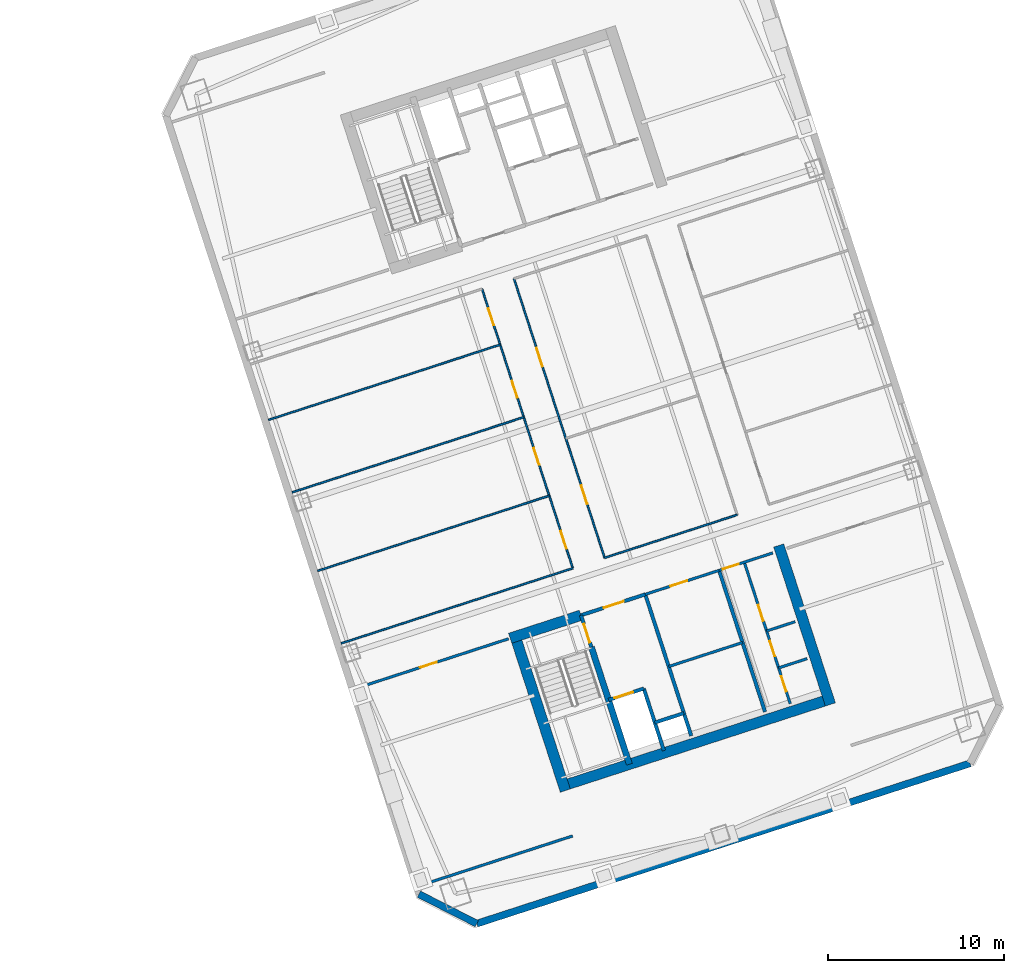
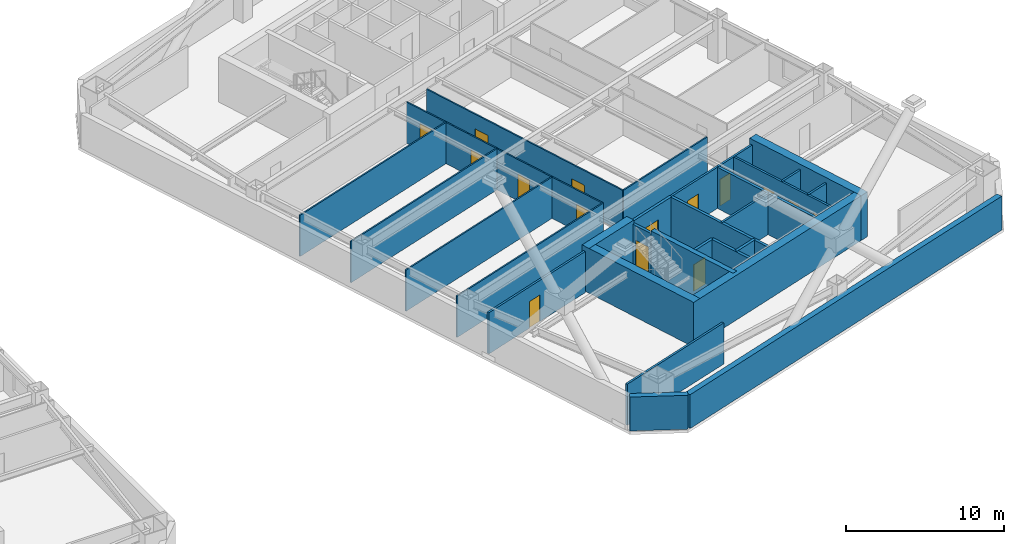
# One storey, part 7 of 12: 29 walls, 15 doors, 15 openings.
"""IFC4 building model written with IfcOpenShell, lengths in metres."""

from ifc_helpers import new_model, si_unit, direction, frame, frame_2d, origin, place, context, subcontext, project, spatial, rectangle, extrude, material, layer, layer_set, type_object, element, fill, save


model = new_model("IFC4")

# Units and contexts
model_context = context("Model", 3, precision=1e-05, world=origin(), true_north=direction((0.0, 1.0)))
body_context = subcontext(model_context, "Body", "Model", "MODEL_VIEW")
ifc_project = project(units=[si_unit("LENGTHUNIT", "METRE"), si_unit("AREAUNIT", "SQUARE_METRE"), si_unit("VOLUMEUNIT", "CUBIC_METRE"), si_unit("PLANEANGLEUNIT", "RADIAN"), si_unit("MASSUNIT", "GRAM", prefix="KILO")], contexts=[model_context])

# Site, building, storey
site_placement = place(None, origin())
site = spatial("IfcSite", under=ifc_project, at=site_placement, CompositionType="ELEMENT")
building_placement = place(site_placement, origin())
building = spatial("IfcBuilding", under=site, at=building_placement, Name="Qiaolan Cultural Towers", CompositionType="ELEMENT")
storey_placement = place(building_placement, frame((0.0, 0.0, 106.949951171875)))
storey = spatial("IfcBuildingStorey", under=building, at=storey_placement, Name="L27", CompositionType="ELEMENT", Elevation=106.949951171875)

# Walls
ifc_material_1 = material(Name="Concrete C50", Category="concrete")
ifc_layer_1 = layer(ifc_material_1, 0.35009765625)
ifc_layer_set_1 = layer_set([ifc_layer_1], Name="Concrete C50")
wall_type_1 = type_object("IfcWallType", Name="WL-CORE-350", PredefinedType="SHEAR", material=ifc_layer_set_1)
wall_1_placement = place(storey_placement, frame((90.486328125, 20.59423828125, 0.0), z_axis=(0.0, 0.0, 1.0), x_axis=(0.309020428229, -0.951055400562, 0.0)))
element("IfcWall", 1, at=wall_1_placement, inside=storey, type_object=wall_type_1, Name="L27 T2-CS Stair Core Dividing Web", PredefinedType="SHEAR", context=body_context, shape_type="SweptSolid", body=[
    extrude(rectangle(XDim=6.97998046875, YDim=0.35009765625, at=frame_2d((3.489990234375, 0.0))), origin(), (0.0, 0.0, 1.0), 3.449951171875),
])
ifc_material_2 = material(Name="Concrete C55", Category="concrete")
ifc_layer_2 = layer(ifc_material_2, 0.60009765625)
ifc_layer_set_2 = layer_set([ifc_layer_2], Name="Concrete C55")
wall_type_2 = type_object("IfcWallType", Name="WL-CORE-600", PredefinedType="SHEAR", material=ifc_layer_set_2)
wall_2_placement = place(storey_placement, frame((88.6298828125, 12.65185546875, 0.0), z_axis=(0.0, 0.0, 1.0), x_axis=(0.95105714907, 0.309015046886, 0.0)))
element("IfcWall", 2, at=wall_2_placement, inside=storey, type_object=wall_type_2, Name="L27 T2-CS Outer Core Shear Wall", PredefinedType="SHEAR", context=body_context, shape_type="SweptSolid", body=[
    extrude(rectangle(XDim=16.400146484375, YDim=0.60009765625, at=frame_2d((8.2001953125, 0.0))), origin(), (0.0, 0.0, 1.0), 3.449951171875),
])
wall_3_placement = place(storey_placement, frame((86.078369140625, 21.47509765625, 0.0), z_axis=(0.0, 0.0, 1.0), x_axis=(0.309017938678, -0.951056209472, 0.0)))
element("IfcWall", 3, at=wall_3_placement, inside=storey, type_object=wall_type_2, Name="L27 T2-CS West Core Shear Wall", PredefinedType="SHEAR", context=body_context, shape_type="SweptSolid", body=[
    extrude(rectangle(XDim=9.479736328125, YDim=0.60009765625, at=frame_2d((4.73974609375, 0.0))), origin(), (0.0, 0.0, 1.0), 3.449951171875),
])
wall_4_placement = place(storey_placement, frame((101.105224609375, 26.357666015625, 0.0), z_axis=(0.0, 0.0, 1.0), x_axis=(0.309010370028, -0.95105866865, 0.0)))
element("IfcWall", 4, at=wall_4_placement, inside=storey, type_object=wall_type_2, Name="L27 T2-CS East Core Shear Wall", PredefinedType="SHEAR", context=body_context, shape_type="SweptSolid", body=[
    extrude(rectangle(XDim=9.47998046875, YDim=0.60009765625, at=frame_2d((4.739990234375, 0.0))), origin(), (0.0, 0.0, 1.0), 3.449951171875),
])
wall_5_placement = place(storey_placement, frame((85.8857421875, 21.09716796875, 0.0), z_axis=(0.0, 0.0, 1.0), x_axis=(0.951068073652, 0.308981422225, 0.0)))
element("IfcWall", 5, at=wall_5_placement, inside=storey, type_object=wall_type_2, Name="L27 T2-CS Stair Front Shear Wall", PredefinedType="SHEAR", context=body_context, shape_type="SweptSolid", body=[
    extrude(rectangle(XDim=4.22021484375, YDim=0.60009765625, at=frame_2d((2.110107421875, 0.0))), origin(), (0.0, 0.0, 1.0), 3.449951171875),
])
ifc_material_3 = material(Name="Precast Concrete C50 Honed Stone Pier", Category="masonry")
ifc_layer_3 = layer(ifc_material_3, 0.39990234375)
ifc_layer_set_3 = layer_set([ifc_layer_3], Name="Precast Concrete C50 Honed Stone Pier")
wall_type_3 = type_object("IfcWallType", Name="WL-EXT-PIER-400", PredefinedType="SOLIDWALL", material=ifc_layer_set_3)
wall_6_placement = place(storey_placement, frame((111.953125, 14.00537109375, 0.0), z_axis=(0.0, 0.0, 1.0), x_axis=(-0.95105505922, -0.309021478754, 0.0)))
element("IfcWall", 6, at=wall_6_placement, inside=storey, type_object=wall_type_3, Name="L27 East Tower Precast Pier Facade Wall F7", PredefinedType="SOLIDWALL", context=body_context, shape_type="SweptSolid", body=[
    extrude(rectangle(XDim=29.39990234375, YDim=0.39990234375, at=frame_2d((14.699951171875, 0.0))), origin(), (0.0, 0.0, 1.0), 2.610107421875),
])
wall_7_placement = place(storey_placement, frame((83.9921875, 4.920166015625, 0.0), z_axis=(0.0, 0.0, 1.0), x_axis=(-0.891001999643, 0.45399937955, 0.0)))
element("IfcWall", 7, at=wall_7_placement, inside=storey, type_object=wall_type_3, Name="L27 East Tower Precast Pier Facade Wall F8", PredefinedType="SOLIDWALL", context=body_context, shape_type="SweptSolid", body=[
    extrude(rectangle(XDim=3.67724609375, YDim=0.39990234375, at=frame_2d((1.838623046875, 0.0))), origin(), (0.0, 0.0, 1.0), 2.610107421875),
])

# Wall, opening, door
ifc_material_4 = material(Name="Concrete C35 Fire Wall", Category="concrete")
ifc_layer_4 = layer(ifc_material_4, 0.199951171875)
ifc_layer_set_4 = layer_set([ifc_layer_4], Name="Concrete C35 Fire Wall")
wall_type_4 = type_object("IfcWallType", Name="WL-FIRE-200", PredefinedType="PARTITIONING", material=ifc_layer_set_4)
wall_8_placement = place(storey_placement, frame((89.8994140625, 22.401123046875, 0.0), z_axis=(0.0, 0.0, 1.0), x_axis=(0.308932062672, -0.951084108086, 0.0)))
wall_8 = element("IfcWall", 8, at=wall_8_placement, inside=storey, type_object=wall_type_4, Name="L27 T2-CS Smokeproof Stair Entry Wall", PredefinedType="PARTITIONING", context=body_context, shape_type="SweptSolid", body=[
    extrude(rectangle(XDim=1.89990234375, YDim=0.199951171875, at=frame_2d((0.949951171875, 0.0))), origin(), (0.0, 0.0, 1.0), 3.175048828125),
])
opening_1_placement = place(wall_8_placement, frame((0.52001953125, 0.0, 0.0)))
opening_1 = element("IfcOpeningElement", 9, at=opening_1_placement, cuts=wall_8, Name="Opening FD-04", PredefinedType="OPENING", context=body_context, shape_type="SweptSolid", body=[
    extrude(rectangle(XDim=1.10009765625, YDim=2.050048828125, at=frame_2d((0.550048828125, 1.02490234375))), frame((0.0, 0.10986328125, 0.0), z_axis=(0.0, -1.0, 0.0), x_axis=(1.0, 0.0, 0.0)), (0.0, 0.0, 1.0), 0.219970703125),
])
ifc_material_5 = material(Name="Galvanized Steel Command Fire Door", Category="steel")
door_type_1 = type_object("IfcDoorType", Name="DR-FD90-1100", OperationType="NOTDEFINED", PredefinedType="DOOR", material=ifc_material_5)
door_1_placement = place(opening_1_placement, origin())
door_1 = element("IfcDoor", 10, at=door_1_placement, inside=storey, type_object=door_type_1, Name="L27 ST-E1 Smokeproof Stair Fire Door", OperationType="SINGLE_SWING_LEFT", OverallHeight=2.050048828125, OverallWidth=1.10009765625, PredefinedType="DOOR", context=body_context, shape_type="SweptSolid", body=[
    extrude(rectangle(XDim=1.10009765625, YDim=2.050048828125, at=frame_2d((0.550048828125, 1.02490234375))), frame((0.0, 0.02490234375, 0.0), z_axis=(0.0, -1.0, 0.0), x_axis=(1.0, 0.0, 0.0)), (0.0, 0.0, 1.0), 0.050048828125),
])
fill(opening_1, door_1)

# Wall
wall_9_placement = place(storey_placement, frame((93.541748046875, 23.584716796875, 0.0), z_axis=(0.0, 0.0, 1.0), x_axis=(0.309042196757, -0.951048327176, 0.0)))
element("IfcWall", 11, at=wall_9_placement, inside=storey, type_object=wall_type_4, Name="L27 T2-CS Firefighting Zone Wall", PredefinedType="PARTITIONING", context=body_context, shape_type="SweptSolid", body=[
    extrude(rectangle(XDim=8.429931640625, YDim=0.199951171875, at=frame_2d((4.21484375, 0.0))), origin(), (0.0, 0.0, 1.0), 3.175048828125),
])

# Wall, opening, door
wall_10_placement = place(storey_placement, frame((89.8994140625, 22.401123046875, 0.0), z_axis=(0.0, 0.0, 1.0), x_axis=(0.951046716504, 0.309047153403, 0.0)))
wall_10 = element("IfcWall", 12, at=wall_10_placement, inside=storey, type_object=wall_type_4, Name="L27 T2-CS Firefighting Lobby Front Wall", PredefinedType="PARTITIONING", context=body_context, shape_type="SweptSolid", body=[
    extrude(rectangle(XDim=3.829833984375, YDim=0.199951171875, at=frame_2d((1.9150390625, 0.0))), origin(), (0.0, 0.0, 1.0), 3.175048828125),
])
opening_2_placement = place(wall_10_placement, frame((1.35009765625, 0.0, 0.0)))
opening_2 = element("IfcOpeningElement", 13, at=opening_2_placement, cuts=wall_10, Name="Opening FD-03", PredefinedType="OPENING", context=body_context, shape_type="SweptSolid", body=[
    extrude(rectangle(XDim=1.199951171875, YDim=2.050048828125, at=frame_2d((0.60009765625, 1.02490234375))), frame((0.0, 0.10986328125, 0.0), z_axis=(0.0, -1.0, 0.0), x_axis=(1.0, 0.0, 0.0)), (0.0, 0.0, 1.0), 0.219970703125),
])
ifc_material_6 = material(Name="Galvanized Steel Smokeproof Lobby Fire Door", Category="steel")
door_type_2 = type_object("IfcDoorType", Name="DR-FD90-1200", OperationType="NOTDEFINED", PredefinedType="DOOR", material=ifc_material_6)
door_2_placement = place(opening_2_placement, origin())
door_2 = element("IfcDoor", 14, at=door_2_placement, inside=storey, type_object=door_type_2, Name="L27 FFL-E1 Firefighting Lobby Fire Door", OperationType="SINGLE_SWING_LEFT", OverallHeight=2.050048828125, OverallWidth=1.199951171875, PredefinedType="DOOR", context=body_context, shape_type="SweptSolid", body=[
    extrude(rectangle(XDim=1.199951171875, YDim=2.050048828125, at=frame_2d((0.60009765625, 1.02490234375))), frame((0.0, 0.02490234375, 0.0), z_axis=(0.0, -1.0, 0.0), x_axis=(1.0, 0.0, 0.0)), (0.0, 0.0, 1.0), 0.050048828125),
])
fill(opening_2, door_2)

wall_11_placement = place(storey_placement, frame((91.459716796875, 17.598388671875, 0.0), z_axis=(0.0, 0.0, 1.0), x_axis=(0.951062257173, 0.308999325213, 0.0)))
wall_11 = element("IfcWall", 15, at=wall_11_placement, inside=storey, type_object=wall_type_4, Name="L27 T2-CS Firefighting Shaft Front Wall", PredefinedType="PARTITIONING", context=body_context, shape_type="SweptSolid", body=[
    extrude(rectangle(XDim=2.10009765625, YDim=0.199951171875, at=frame_2d((1.050048828125, 0.0))), origin(), (0.0, 0.0, 1.0), 3.175048828125),
])
opening_3_placement = place(wall_11_placement, frame((0.35009765625, 0.0, 0.0)))
opening_3 = element("IfcOpeningElement", 16, at=opening_3_placement, cuts=wall_11, Name="Opening LD-01", PredefinedType="OPENING", context=body_context, shape_type="SweptSolid", body=[
    extrude(rectangle(XDim=1.10009765625, YDim=2.050048828125, at=frame_2d((0.550048828125, 1.02490234375))), frame((0.0, 0.10986328125, 0.0), z_axis=(0.0, -1.0, 0.0), x_axis=(1.0, 0.0, 0.0)), (0.0, 0.0, 1.0), 0.219970703125),
])
ifc_material_7 = material(Name="Brushed Stainless Steel S30408 Centre-Parting Lift Landing Door", Category="steel")
door_type_3 = type_object("IfcDoorType", Name="DR-LIFT-1100", OperationType="NOTDEFINED", PredefinedType="DOOR", material=ifc_material_7)
door_3_placement = place(opening_3_placement, origin())
door_3 = element("IfcDoor", 17, at=door_3_placement, inside=storey, type_object=door_type_3, Name="L27 FFL-E1 Firefighting Lift Landing Door", OperationType="DOUBLE_DOOR_SLIDING", OverallHeight=2.050048828125, OverallWidth=1.10009765625, PredefinedType="DOOR", context=body_context, shape_type="SweptSolid", body=[
    extrude(rectangle(XDim=1.10009765625, YDim=2.050048828125, at=frame_2d((0.550048828125, 1.02490234375))), frame((0.0, 0.02490234375, 0.0), z_axis=(0.0, -1.0, 0.0), x_axis=(1.0, 0.0, 0.0)), (0.0, 0.0, 1.0), 0.050048828125),
])
fill(opening_3, door_3)

# Walls
wall_12_placement = place(storey_placement, frame((93.45703125, 18.247314453125, 0.0), z_axis=(0.0, 0.0, 1.0), x_axis=(0.3089935693, -0.951064127245, 0.0)))
element("IfcWall", 18, at=wall_12_placement, inside=storey, type_object=wall_type_4, Name="L27 T2-CS Firefighting Hoistway East Wall", PredefinedType="PARTITIONING", context=body_context, shape_type="SweptSolid", body=[
    extrude(rectangle(XDim=3.7001953125, YDim=0.199951171875, at=frame_2d((1.85009765625, 0.0))), origin(), (0.0, 0.0, 1.0), 3.175048828125),
])
wall_13_placement = place(storey_placement, frame((94.08447265625, 16.316650390625, 0.0), z_axis=(0.0, 0.0, 1.0), x_axis=(0.951041328149, 0.309063734775, 0.0)))
element("IfcWall", 19, at=wall_13_placement, inside=storey, type_object=wall_type_4, Name="L27 T2-CS Pressurization Shaft Front Wall", PredefinedType="PARTITIONING", context=body_context, shape_type="SweptSolid", body=[
    extrude(rectangle(XDim=1.72998046875, YDim=0.199951171875, at=frame_2d((0.864990234375, 0.0))), origin(), (0.0, 0.0, 1.0), 3.175048828125),
])
wall_14_placement = place(storey_placement, frame((97.7265625, 24.9443359375, 0.0), z_axis=(0.0, 0.0, 1.0), x_axis=(0.309016001439, -0.951056838919, 0.0)))
element("IfcWall", 20, at=wall_14_placement, inside=storey, type_object=wall_type_4, Name="L27 T2-CS Lift Core East Wall", PredefinedType="PARTITIONING", context=body_context, shape_type="SweptSolid", body=[
    extrude(rectangle(XDim=8.429931640625, YDim=0.199951171875, at=frame_2d((4.21484375, 0.0))), origin(), (0.0, 0.0, 1.0), 3.175048828125),
])
ifc_material_8 = material(Name="Acoustic Double-Glazed Partition Frame", Category="glass")
ifc_layer_5 = layer(ifc_material_8, 0.10009765625)
ifc_layer_set_5 = layer_set([ifc_layer_5], Name="Acoustic Double-Glazed Partition Frame")
wall_type_5 = type_object("IfcWallType", Name="WL-GLAZED-100", PredefinedType="MOVABLE", material=ifc_layer_set_5)
wall_15_placement = place(storey_placement, frame((76.307861328125, 20.802978515625, 0.0), z_axis=(0.0, 0.0, 1.0), x_axis=(0.951058377365, 0.309011266531, 0.0)))
element("IfcWall", 21, at=wall_15_placement, inside=storey, type_object=wall_type_5, Name="L27 T2 Interior Wall", PredefinedType="MOVABLE", context=body_context, shape_type="SweptSolid", body=[
    extrude(rectangle(XDim=13.800048828125, YDim=0.10009765625, at=frame_2d((6.89990234375, 0.0))), origin(), (0.0, 0.0, 1.0), 3.175048828125),
])
wall_16_placement = place(storey_placement, frame((91.239501953125, 25.654541015625, 0.0), z_axis=(0.0, 0.0, 1.0), x_axis=(0.951060182336, 0.309005711233, 0.0)))
element("IfcWall", 22, at=wall_16_placement, inside=storey, type_object=wall_type_5, Name="L27 T2 Interior Wall", PredefinedType="MOVABLE", context=body_context, shape_type="SweptSolid", body=[
    extrude(rectangle(XDim=7.900146484375, YDim=0.10009765625, at=frame_2d((3.9501953125, 0.0))), origin(), (0.0, 0.0, 1.0), 3.175048828125),
])

# Wall, openings, doors
wall_17_placement = place(storey_placement, frame((89.4326171875, 25.0673828125, 0.0), z_axis=(0.0, 0.0, 1.0), x_axis=(-0.30901773025, 0.951056277195, 0.0)))
wall_17 = element("IfcWall", 23, at=wall_17_placement, inside=storey, type_object=wall_type_5, Name="L27 T2 Interior Wall", PredefinedType="MOVABLE", context=body_context, shape_type="SweptSolid", body=[
    extrude(rectangle(XDim=16.64013671875, YDim=0.10009765625, at=frame_2d((8.320068359375, 0.0))), origin(), (0.0, 0.0, 1.0), 3.175048828125),
])
opening_4_placement = place(wall_17_placement, frame((1.159912109375, 0.0, 0.0)))
opening_4 = element("IfcOpeningElement", 24, at=opening_4_placement, cuts=wall_17, Name="Opening ID-07", PredefinedType="OPENING", context=body_context, shape_type="SweptSolid", body=[
    extrude(rectangle(XDim=1.050048828125, YDim=2.050048828125, at=frame_2d((0.52490234375, 1.02490234375))), frame((0.0, 0.06005859375, 0.0), z_axis=(0.0, -1.0, 0.0), x_axis=(1.0, 0.0, 0.0)), (0.0, 0.0, 1.0), 0.1201171875),
])
opening_5_placement = place(wall_17_placement, frame((6.159912109375, 0.0, 0.0)))
opening_5 = element("IfcOpeningElement", 25, at=opening_5_placement, cuts=wall_17, Name="Opening ID-04", PredefinedType="OPENING", context=body_context, shape_type="SweptSolid", body=[
    extrude(rectangle(XDim=1.0, YDim=2.050048828125, at=frame_2d((0.5, 1.02490234375))), frame((0.0, 0.06005859375, 0.0), z_axis=(0.0, -1.0, 0.0), x_axis=(1.0, 0.0, 0.0)), (0.0, 0.0, 1.0), 0.1201171875),
])
opening_6_placement = place(wall_17_placement, frame((10.159912109375, 0.0, 0.0)))
opening_6 = element("IfcOpeningElement", 26, at=opening_6_placement, cuts=wall_17, Name="Opening ID-04", PredefinedType="OPENING", context=body_context, shape_type="SweptSolid", body=[
    extrude(rectangle(XDim=1.0, YDim=2.050048828125, at=frame_2d((0.5, 1.02490234375))), frame((0.0, 0.06005859375, 0.0), z_axis=(0.0, -1.0, 0.0), x_axis=(1.0, 0.0, 0.0)), (0.0, 0.0, 1.0), 0.1201171875),
])
opening_7_placement = place(wall_17_placement, frame((14.47998046875, 0.0, 0.0)))
opening_7 = element("IfcOpeningElement", 27, at=opening_7_placement, cuts=wall_17, Name="Opening ID-04", PredefinedType="OPENING", context=body_context, shape_type="SweptSolid", body=[
    extrude(rectangle(XDim=1.0, YDim=2.050048828125, at=frame_2d((0.5, 1.02490234375))), frame((0.0, 0.06005859375, 0.0), z_axis=(0.0, -1.0, 0.0), x_axis=(1.0, 0.0, 0.0)), (0.0, 0.0, 1.0), 0.1201171875),
])
ifc_material_9 = material(Name="Oak Veneer Acoustic Office Door", Category="timber")
door_type_4 = type_object("IfcDoorType", Name="DR-INT-1000", OperationType="NOTDEFINED", PredefinedType="DOOR", material=ifc_material_9)
door_4_placement = place(opening_5_placement, origin())
door_4 = element("IfcDoor", 28, at=door_4_placement, inside=storey, type_object=door_type_4, Name="L27 T2 Advisory Office Door", OperationType="SINGLE_SWING_LEFT", OverallHeight=2.050048828125, OverallWidth=1.0, PredefinedType="DOOR", context=body_context, shape_type="SweptSolid", body=[
    extrude(rectangle(XDim=1.0, YDim=2.050048828125, at=frame_2d((0.5, 1.02490234375))), frame((0.0, 0.02490234375, 0.0), z_axis=(0.0, -1.0, 0.0), x_axis=(1.0, 0.0, 0.0)), (0.0, 0.0, 1.0), 0.050048828125),
])
fill(opening_5, door_4)
door_5_placement = place(opening_6_placement, origin())
door_5 = element("IfcDoor", 29, at=door_5_placement, inside=storey, type_object=door_type_4, Name="L27 T2 Advisory Office Door", OperationType="SINGLE_SWING_RIGHT", OverallHeight=2.050048828125, OverallWidth=1.0, PredefinedType="DOOR", context=body_context, shape_type="SweptSolid", body=[
    extrude(rectangle(XDim=1.0, YDim=2.050048828125, at=frame_2d((0.5, 1.02490234375))), frame((0.0, 0.02490234375, 0.0), z_axis=(0.0, -1.0, 0.0), x_axis=(1.0, 0.0, 0.0)), (0.0, 0.0, 1.0), 0.050048828125),
])
fill(opening_6, door_5)
door_6_placement = place(opening_7_placement, origin())
door_6 = element("IfcDoor", 30, at=door_6_placement, inside=storey, type_object=door_type_4, Name="L27 T2 Advisory Office Door", OperationType="SINGLE_SWING_RIGHT", OverallHeight=2.050048828125, OverallWidth=1.0, PredefinedType="DOOR", context=body_context, shape_type="SweptSolid", body=[
    extrude(rectangle(XDim=1.0, YDim=2.050048828125, at=frame_2d((0.5, 1.02490234375))), frame((0.0, 0.02490234375, 0.0), z_axis=(0.0, -1.0, 0.0), x_axis=(1.0, 0.0, 0.0)), (0.0, 0.0, 1.0), 0.050048828125),
])
fill(opening_7, door_6)
ifc_material_10 = material(Name="Oak Veneer Consultation Door", Category="timber")
door_type_5 = type_object("IfcDoorType", Name="DR-INT-1050", OperationType="NOTDEFINED", PredefinedType="DOOR", material=ifc_material_10)
door_7_placement = place(opening_4_placement, origin())
door_7 = element("IfcDoor", 31, at=door_7_placement, inside=storey, type_object=door_type_5, Name="L27 T2 Advisory Office Door", OperationType="SINGLE_SWING_LEFT", OverallHeight=2.050048828125, OverallWidth=1.050048828125, PredefinedType="DOOR", context=body_context, shape_type="SweptSolid", body=[
    extrude(rectangle(XDim=1.050048828125, YDim=2.050048828125, at=frame_2d((0.52490234375, 1.02490234375))), frame((0.0, 0.02490234375, 0.0), z_axis=(0.0, -1.0, 0.0), x_axis=(1.0, 0.0, 0.0)), (0.0, 0.0, 1.0), 0.050048828125),
])
fill(opening_4, door_7)

wall_18_placement = place(storey_placement, frame((91.239501953125, 25.654541015625, 0.0), z_axis=(0.0, 0.0, 1.0), x_axis=(-0.30901773025, 0.951056277195, 0.0)))
wall_18 = element("IfcWall", 32, at=wall_18_placement, inside=storey, type_object=wall_type_5, Name="L27 T2 Interior Wall", PredefinedType="MOVABLE", context=body_context, shape_type="SweptSolid", body=[
    extrude(rectangle(XDim=16.64013671875, YDim=0.10009765625, at=frame_2d((8.320068359375, 0.0))), origin(), (0.0, 0.0, 1.0), 3.175048828125),
])
opening_8_placement = place(wall_18_placement, frame((3.2041015625, 0.0, 0.0)))
opening_8 = element("IfcOpeningElement", 33, at=opening_8_placement, cuts=wall_18, Name="Opening ID-03", PredefinedType="OPENING", context=body_context, shape_type="SweptSolid", body=[
    extrude(rectangle(XDim=1.10009765625, YDim=2.050048828125, at=frame_2d((0.550048828125, 1.02490234375))), frame((0.0, 0.06005859375, 0.0), z_axis=(0.0, -1.0, 0.0), x_axis=(1.0, 0.0, 0.0)), (0.0, 0.0, 1.0), 0.1201171875),
])
opening_9_placement = place(wall_18_placement, frame((11.404052734375, 0.0, 0.0)))
opening_9 = element("IfcOpeningElement", 34, at=opening_9_placement, cuts=wall_18, Name="Opening ID-03", PredefinedType="OPENING", context=body_context, shape_type="SweptSolid", body=[
    extrude(rectangle(XDim=1.10009765625, YDim=2.050048828125, at=frame_2d((0.550048828125, 1.02490234375))), frame((0.0, 0.06005859375, 0.0), z_axis=(0.0, -1.0, 0.0), x_axis=(1.0, 0.0, 0.0)), (0.0, 0.0, 1.0), 0.1201171875),
])
ifc_material_11 = material(Name="Oak Veneer Solid-Core Boardroom Door", Category="timber")
door_type_6 = type_object("IfcDoorType", Name="DR-INT-1100", OperationType="NOTDEFINED", PredefinedType="DOOR", material=ifc_material_11)
door_8_placement = place(opening_8_placement, origin())
door_8 = element("IfcDoor", 35, at=door_8_placement, inside=storey, type_object=door_type_6, Name="L27 T2 Central Boardroom Door", OperationType="SINGLE_SWING_LEFT", OverallHeight=2.050048828125, OverallWidth=1.10009765625, PredefinedType="DOOR", context=body_context, shape_type="SweptSolid", body=[
    extrude(rectangle(XDim=1.10009765625, YDim=2.050048828125, at=frame_2d((0.550048828125, 1.02490234375))), frame((0.0, 0.02490234375, 0.0), z_axis=(0.0, -1.0, 0.0), x_axis=(1.0, 0.0, 0.0)), (0.0, 0.0, 1.0), 0.050048828125),
])
fill(opening_8, door_8)
door_9_placement = place(opening_9_placement, origin())
door_9 = element("IfcDoor", 36, at=door_9_placement, inside=storey, type_object=door_type_6, Name="L27 T2 Central Archive Salon Door", OperationType="SINGLE_SWING_RIGHT", OverallHeight=2.050048828125, OverallWidth=1.10009765625, PredefinedType="DOOR", context=body_context, shape_type="SweptSolid", body=[
    extrude(rectangle(XDim=1.10009765625, YDim=2.050048828125, at=frame_2d((0.550048828125, 1.02490234375))), frame((0.0, 0.02490234375, 0.0), z_axis=(0.0, -1.0, 0.0), x_axis=(1.0, 0.0, 0.0)), (0.0, 0.0, 1.0), 0.050048828125),
])
fill(opening_9, door_9)

# Walls
wall_19_placement = place(storey_placement, frame((74.972900390625, 24.91162109375, 0.0), z_axis=(0.0, 0.0, 1.0), x_axis=(0.951058377365, 0.309011266531, 0.0)))
element("IfcWall", 37, at=wall_19_placement, inside=storey, type_object=wall_type_5, Name="L27 T2 Interior Wall", PredefinedType="MOVABLE", context=body_context, shape_type="SweptSolid", body=[
    extrude(rectangle(XDim=13.800048828125, YDim=0.10009765625, at=frame_2d((6.89990234375, 0.0))), origin(), (0.0, 0.0, 1.0), 3.175048828125),
])
for number, where, z_axis, x_axis, name in (
    (38, (73.52685546875, 29.362548828125, 0.0), (0.0, 0.0, 1.0), (0.951056688031, 0.309016465825, 0.0), "L27 T2 Interior Wall"),
    (39, (72.19189453125, 33.47119140625, 0.0), (0.0, 0.0, 1.0), (0.951056688031, 0.309016465825, 0.0), "L27 T2 Interior Wall"),
):
    element("IfcWall", number, at=place(storey_placement, frame(where, z_axis=z_axis, x_axis=x_axis)), inside=storey, type_object=wall_type_5, Name=name, PredefinedType="MOVABLE", context=body_context, shape_type="SweptSolid", body=[
        extrude(rectangle(XDim=13.7998046875, YDim=0.10009765625, at=frame_2d((6.89990234375, 0.0))), origin(), (0.0, 0.0, 1.0), 3.175048828125),
    ])

# Wall, opening, door
ifc_material_12 = material(Name="Autoclaved Aerated Concrete Block B06", Category="concrete")
ifc_layer_6 = layer(ifc_material_12, 0.14990234375)
ifc_layer_set_6 = layer_set([ifc_layer_6], Name="Autoclaved Aerated Concrete Block B06")
wall_type_6 = type_object("IfcWallType", Name="WL-PART-150", PredefinedType="PARTITIONING", material=ifc_layer_set_6)
wall_20_placement = place(storey_placement, frame((93.541748046875, 23.584716796875, 0.0), z_axis=(0.0, 0.0, 1.0), x_axis=(0.951063829732, 0.308994485023, 0.0)))
wall_20 = element("IfcWall", 40, at=wall_20_placement, inside=storey, type_object=wall_type_6, Name="L27 T2-CS Reclaimed Core Room Front Wall", PredefinedType="PARTITIONING", context=body_context, shape_type="SweptSolid", body=[
    extrude(rectangle(XDim=4.400146484375, YDim=0.14990234375, at=frame_2d((2.2001953125, 0.0))), origin(), (0.0, 0.0, 1.0), 3.175048828125),
])
opening_10_placement = place(wall_20_placement, frame((1.5, 0.0, 0.0)))
opening_10 = element("IfcOpeningElement", 41, at=opening_10_placement, cuts=wall_20, Name="Opening ID-04", PredefinedType="OPENING", context=body_context, shape_type="SweptSolid", body=[
    extrude(rectangle(XDim=1.0, YDim=2.050048828125, at=frame_2d((0.5, 1.02490234375))), frame((0.0, 0.0849609375, 0.0), z_axis=(0.0, -1.0, 0.0), x_axis=(1.0, 0.0, 0.0)), (0.0, 0.0, 1.0), 0.169921875),
])
door_10_placement = place(opening_10_placement, origin())
door_10 = element("IfcDoor", 42, at=door_10_placement, inside=storey, type_object=door_type_4, Name="L27 Focus Pod Room Door", OperationType="SINGLE_SWING_LEFT", OverallHeight=2.050048828125, OverallWidth=1.0, PredefinedType="DOOR", context=body_context, shape_type="SweptSolid", body=[
    extrude(rectangle(XDim=1.0, YDim=2.050048828125, at=frame_2d((0.5, 1.02490234375))), frame((0.0, 0.02490234375, 0.0), z_axis=(0.0, -1.0, 0.0), x_axis=(1.0, 0.0, 0.0)), (0.0, 0.0, 1.0), 0.050048828125),
])
fill(opening_10, door_10)

# Wall
wall_21_placement = place(storey_placement, frame((94.87060546875, 19.4951171875, 0.0), z_axis=(0.0, 0.0, 1.0), x_axis=(0.951042223598, 0.309060979314, 0.0)))
element("IfcWall", 43, at=wall_21_placement, inside=storey, type_object=wall_type_6, Name="L27 T2-CS Reclaimed Room Subdivider", PredefinedType="PARTITIONING", context=body_context, shape_type="SweptSolid", body=[
    extrude(rectangle(XDim=4.39990234375, YDim=0.14990234375, at=frame_2d((2.199951171875, 0.0))), origin(), (0.0, 0.0, 1.0), 3.175048828125),
])

# Wall, opening, door
wall_22_placement = place(storey_placement, frame((97.7265625, 24.9443359375, 0.0), z_axis=(0.0, 0.0, 1.0), x_axis=(0.951036872128, 0.309077446369, 0.0)))
wall_22 = element("IfcWall", 44, at=wall_22_placement, inside=storey, type_object=wall_type_6, Name="L27 T2-CS Sanitary Core Front Wall", PredefinedType="PARTITIONING", context=body_context, shape_type="SweptSolid", body=[
    extrude(rectangle(XDim=3.199951171875, YDim=0.14990234375, at=frame_2d((1.60009765625, 0.0))), origin(), (0.0, 0.0, 1.0), 3.175048828125),
])
opening_11_placement = place(wall_22_placement, frame((0.219970703125, 0.0, 0.0)))
opening_11 = element("IfcOpeningElement", 45, at=opening_11_placement, cuts=wall_22, Name="Opening ID-05", PredefinedType="OPENING", context=body_context, shape_type="SweptSolid", body=[
    extrude(rectangle(XDim=0.949951171875, YDim=2.050048828125, at=frame_2d((0.47509765625, 1.02490234375))), frame((0.0, 0.0849609375, 0.0), z_axis=(0.0, -1.0, 0.0), x_axis=(1.0, 0.0, 0.0)), (0.0, 0.0, 1.0), 0.169921875),
])
ifc_material_13 = material(Name="Fire-Rated Laminate Accessible Core Door", Category="timber")
door_type_7 = type_object("IfcDoorType", Name="DR-INT-950", OperationType="NOTDEFINED", PredefinedType="DOOR", material=ifc_material_13)
door_11_placement = place(opening_11_placement, origin())
door_11 = element("IfcDoor", 46, at=door_11_placement, inside=storey, type_object=door_type_7, Name="L27 Sanitary Vestibule Door", OperationType="SINGLE_SWING_LEFT", OverallHeight=2.050048828125, OverallWidth=0.949951171875, PredefinedType="DOOR", context=body_context, shape_type="SweptSolid", body=[
    extrude(rectangle(XDim=0.949951171875, YDim=2.050048828125, at=frame_2d((0.47509765625, 1.02490234375))), frame((0.0, 0.02490234375, 0.0), z_axis=(0.0, -1.0, 0.0), x_axis=(1.0, 0.0, 0.0)), (0.0, 0.0, 1.0), 0.050048828125),
])
fill(opening_11, door_11)

# Wall, openings, doors
wall_23_placement = place(storey_placement, frame((99.153076171875, 25.407958984375, 0.0), z_axis=(0.0, 0.0, 1.0), x_axis=(0.309016001439, -0.951056838919, 0.0)))
wall_23 = element("IfcWall", 47, at=wall_23_placement, inside=storey, type_object=wall_type_6, Name="L27 T2-CS Sanitary Vestibule Wall", PredefinedType="PARTITIONING", context=body_context, shape_type="SweptSolid", body=[
    extrude(rectangle(XDim=8.429931640625, YDim=0.14990234375, at=frame_2d((4.21484375, 0.0))), origin(), (0.0, 0.0, 1.0), 3.175048828125),
])
opening_12_placement = place(wall_23_placement, frame((2.550048828125, 0.0, 0.0)))
opening_12 = element("IfcOpeningElement", 48, at=opening_12_placement, cuts=wall_23, Name="Opening ID-05", PredefinedType="OPENING", context=body_context, shape_type="SweptSolid", body=[
    extrude(rectangle(XDim=0.949951171875, YDim=2.050048828125, at=frame_2d((0.47509765625, 1.02490234375))), frame((0.0, 0.0849609375, 0.0), z_axis=(0.0, -1.0, 0.0), x_axis=(1.0, 0.0, 0.0)), (0.0, 0.0, 1.0), 0.169921875),
])
opening_13_placement = place(wall_23_placement, frame((4.699951171875, 0.0, 0.0)))
opening_13 = element("IfcOpeningElement", 49, at=opening_13_placement, cuts=wall_23, Name="Opening ID-06", PredefinedType="OPENING", context=body_context, shape_type="SweptSolid", body=[
    extrude(rectangle(XDim=0.89990234375, YDim=2.050048828125, at=frame_2d((0.449951171875, 1.02490234375))), frame((0.0, 0.0849609375, 0.0), z_axis=(0.0, -1.0, 0.0), x_axis=(1.0, 0.0, 0.0)), (0.0, 0.0, 1.0), 0.169921875),
])
opening_14_placement = place(wall_23_placement, frame((6.800048828125, 0.0, 0.0)))
opening_14 = element("IfcOpeningElement", 50, at=opening_14_placement, cuts=wall_23, Name="Opening ID-06", PredefinedType="OPENING", context=body_context, shape_type="SweptSolid", body=[
    extrude(rectangle(XDim=0.89990234375, YDim=2.050048828125, at=frame_2d((0.449951171875, 1.02490234375))), frame((0.0, 0.0849609375, 0.0), z_axis=(0.0, -1.0, 0.0), x_axis=(1.0, 0.0, 0.0)), (0.0, 0.0, 1.0), 0.169921875),
])
ifc_material_14 = material(Name="Fire-Rated Laminate Core Service Door", Category="timber")
door_type_8 = type_object("IfcDoorType", Name="DR-INT-900", OperationType="NOTDEFINED", PredefinedType="DOOR", material=ifc_material_14)
door_12_placement = place(opening_13_placement, origin())
door_12 = element("IfcDoor", 51, at=door_12_placement, inside=storey, type_object=door_type_8, Name="L27 Men Washroom Door", OperationType="SINGLE_SWING_LEFT", OverallHeight=2.050048828125, OverallWidth=0.89990234375, PredefinedType="DOOR", context=body_context, shape_type="SweptSolid", body=[
    extrude(rectangle(XDim=0.89990234375, YDim=2.050048828125, at=frame_2d((0.449951171875, 1.02490234375))), frame((0.0, 0.02490234375, 0.0), z_axis=(0.0, -1.0, 0.0), x_axis=(1.0, 0.0, 0.0)), (0.0, 0.0, 1.0), 0.050048828125),
])
fill(opening_13, door_12)
door_13_placement = place(opening_14_placement, origin())
door_13 = element("IfcDoor", 52, at=door_13_placement, inside=storey, type_object=door_type_8, Name="L27 Women Washroom Door", OperationType="SINGLE_SWING_RIGHT", OverallHeight=2.050048828125, OverallWidth=0.89990234375, PredefinedType="DOOR", context=body_context, shape_type="SweptSolid", body=[
    extrude(rectangle(XDim=0.89990234375, YDim=2.050048828125, at=frame_2d((0.449951171875, 1.02490234375))), frame((0.0, 0.02490234375, 0.0), z_axis=(0.0, -1.0, 0.0), x_axis=(1.0, 0.0, 0.0)), (0.0, 0.0, 1.0), 0.050048828125),
])
fill(opening_14, door_13)
door_14_placement = place(opening_12_placement, origin())
door_14 = element("IfcDoor", 53, at=door_14_placement, inside=storey, type_object=door_type_7, Name="L27 Accessible Family Washroom Door", OperationType="SINGLE_SWING_LEFT", OverallHeight=2.050048828125, OverallWidth=0.949951171875, PredefinedType="DOOR", context=body_context, shape_type="SweptSolid", body=[
    extrude(rectangle(XDim=0.949951171875, YDim=2.050048828125, at=frame_2d((0.47509765625, 1.02490234375))), frame((0.0, 0.02490234375, 0.0), z_axis=(0.0, -1.0, 0.0), x_axis=(1.0, 0.0, 0.0)), (0.0, 0.0, 1.0), 0.050048828125),
])
fill(opening_12, door_14)

# Walls
wall_24_placement = place(storey_placement, frame((100.420166015625, 21.508544921875, 0.0), z_axis=(0.0, 0.0, 1.0), x_axis=(0.951040401051, 0.309066587596, 0.0)))
element("IfcWall", 54, at=wall_24_placement, inside=storey, type_object=wall_type_6, Name="L27 T2-CS Restroom Split Wall 1", PredefinedType="PARTITIONING", context=body_context, shape_type="SweptSolid", body=[
    extrude(rectangle(XDim=1.699951171875, YDim=0.14990234375, at=frame_2d((0.85009765625, 0.0))), origin(), (0.0, 0.0, 1.0), 3.175048828125),
])
wall_25_placement = place(storey_placement, frame((101.099853515625, 19.416259765625, 0.0), z_axis=(0.0, 0.0, 1.0), x_axis=(0.951054116971, 0.309024378638, 0.0)))
element("IfcWall", 55, at=wall_25_placement, inside=storey, type_object=wall_type_6, Name="L27 T2-CS Restroom Split Wall 2", PredefinedType="PARTITIONING", context=body_context, shape_type="SweptSolid", body=[
    extrude(rectangle(XDim=1.7001953125, YDim=0.14990234375, at=frame_2d((0.85009765625, 0.0))), origin(), (0.0, 0.0, 1.0), 3.175048828125),
])
wall_26_placement = place(storey_placement, frame((80.76708984375, 7.079345703125, 0.0), z_axis=(0.0, 0.0, 1.0), x_axis=(0.951057133767, 0.309015093986, 0.0)))
element("IfcWall", 56, at=wall_26_placement, inside=storey, type_object=wall_type_6, Name="L27 T2 Flank Wall FLK-SW", PredefinedType="PARTITIONING", context=body_context, shape_type="SweptSolid", body=[
    extrude(rectangle(XDim=9.099853515625, YDim=0.14990234375, at=frame_2d((4.5498046875, 0.0))), origin(), (0.0, 0.0, 1.0), 3.175048828125),
])

# Wall, opening, door
wall_27_placement = place(storey_placement, frame((77.13623046875, 18.254150390625, 0.0), z_axis=(0.0, 0.0, 1.0), x_axis=(0.951057133767, 0.309015093986, 0.0)))
wall_27 = element("IfcWall", 57, at=wall_27_placement, inside=storey, type_object=wall_type_6, Name="L27 T2 Flank Front FLK-SW", PredefinedType="PARTITIONING", context=body_context, shape_type="SweptSolid", body=[
    extrude(rectangle(XDim=9.099853515625, YDim=0.14990234375, at=frame_2d((4.5498046875, 0.0))), origin(), (0.0, 0.0, 1.0), 3.175048828125),
])
opening_15_placement = place(wall_27_placement, frame((3.822021484375, 0.0, 0.0)))
opening_15 = element("IfcOpeningElement", 58, at=opening_15_placement, cuts=wall_27, Name="Opening ID-04", PredefinedType="OPENING", context=body_context, shape_type="SweptSolid", body=[
    extrude(rectangle(XDim=1.0, YDim=2.050048828125, at=frame_2d((0.5, 1.02490234375))), frame((0.0, 0.0849609375, 0.0), z_axis=(0.0, -1.0, 0.0), x_axis=(1.0, 0.0, 0.0)), (0.0, 0.0, 1.0), 0.169921875),
])
door_15_placement = place(opening_15_placement, origin())
door_15 = element("IfcDoor", 59, at=door_15_placement, inside=storey, type_object=door_type_4, Name="L27 T2 Corner Studio Door", OperationType="SINGLE_SWING_LEFT", OverallHeight=2.050048828125, OverallWidth=1.0, PredefinedType="DOOR", context=body_context, shape_type="SweptSolid", body=[
    extrude(rectangle(XDim=1.0, YDim=2.050048828125, at=frame_2d((0.5, 1.02490234375))), frame((0.0, 0.02490234375, 0.0), z_axis=(0.0, -1.0, 0.0), x_axis=(1.0, 0.0, 0.0)), (0.0, 0.0, 1.0), 0.050048828125),
])
fill(opening_15, door_15)

save(model, "model.ifc")
